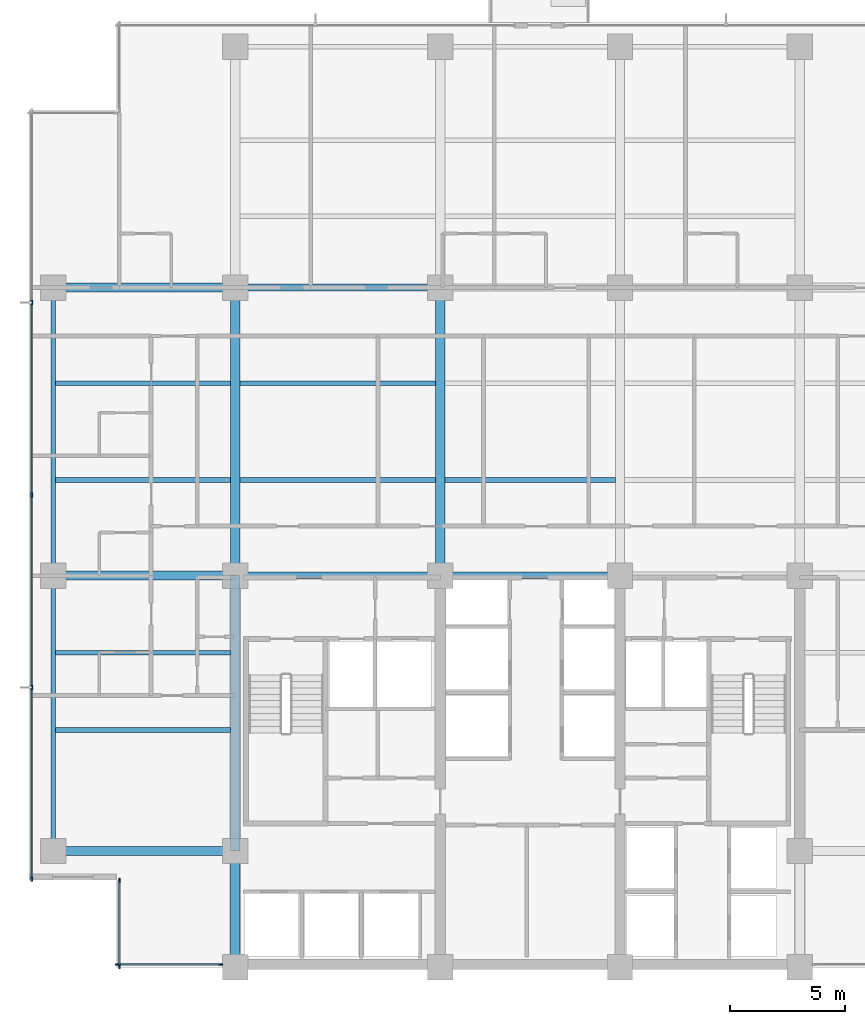
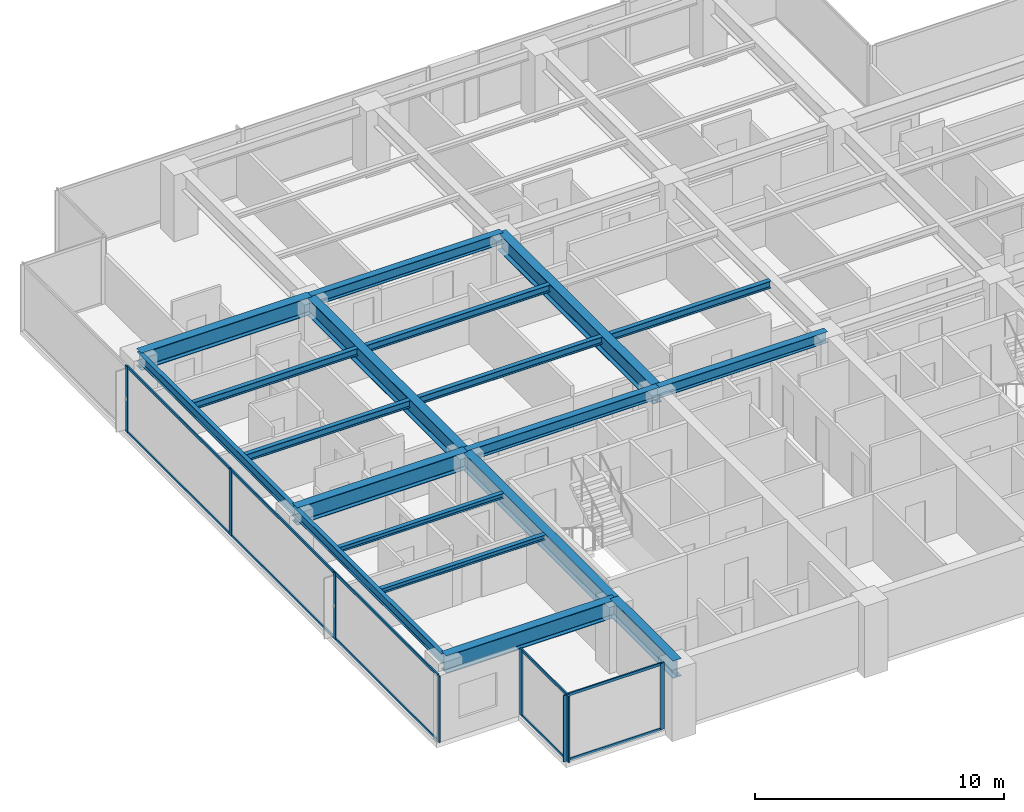
# One storey, part 2 of 16: 19 beams, 18 members, 3 elements without a shape of their own.
"""IFC4 building model written with IfcOpenShell, lengths in metres."""

from ifc_helpers import new_model, si_unit, direction, frame, origin, origin_2d, place, context, subcontext, project, spatial, rectangle, i_section, extrude, material, layer, layer_set, material_profile, profile_set, type_object, element, aggregate, save


model = new_model("IFC4")

# Units and contexts
model_context = context("Model", 3, precision=1e-05, world=origin(), true_north=direction((0.0, 1.0)))
body_context = subcontext(model_context, "Body", "Model", "MODEL_VIEW")
ifc_project = project(units=[si_unit("LENGTHUNIT", "METRE"), si_unit("AREAUNIT", "SQUARE_METRE"), si_unit("VOLUMEUNIT", "CUBIC_METRE"), si_unit("PLANEANGLEUNIT", "RADIAN"), si_unit("MASSUNIT", "GRAM", prefix="KILO")], contexts=[model_context])

# Site, building, storey
site_placement = place(None, origin())
site = spatial("IfcSite", under=ifc_project, at=site_placement, CompositionType="ELEMENT")
building_placement = place(site_placement, origin())
building = spatial("IfcBuilding", under=site, at=building_placement, Name="Qalmaran Belvedere Hotel", CompositionType="ELEMENT")
storey_placement = place(building_placement, frame((0.0, 0.0, 145.60009765625)))
storey = spatial("IfcBuildingStorey", under=building, at=storey_placement, Name="L36", CompositionType="ELEMENT", Elevation=145.60009765625)

# Beams
ifc_material_1 = material(Name="Steel S355JR", Category="steel")
ifc_material_profile_1 = material_profile(ifc_material_1, i_section(OverallWidth=0.201904296875, OverallDepth=0.2470703125, WebThickness=0.00732421875, FlangeThickness=0.010986328125, FilletRadius=0.011962890625, at=origin_2d()), Name="W250X49")
ifc_profile_set_1 = profile_set([ifc_material_profile_1], Name="Steel S355JR")
beam_type_1 = type_object("IfcBeamType", Name="BM-JST-W250X49", PredefinedType="JOIST", material=ifc_profile_set_1)
for number, where, z_axis, x_axis, name in (
    (1, (12.493896484375, 13.800048828125, 3.12646484375), (1.0, 0.0, 0.0), (0.0, 1.0, 0.0), "L36 West Wing Joist 038"),
    (2, (12.493896484375, 17.14990234375, 3.12646484375), (1.0, 0.0, 0.0), (0.0, 1.0, 0.0), "L36 West Wing Joist 040"),
):
    element("IfcBeam", number, at=place(storey_placement, frame(where, z_axis=z_axis, x_axis=x_axis)), inside=storey, type_object=beam_type_1, Name=name, PredefinedType="JOIST", context=body_context, shape_type="SweptSolid", body=[
        extrude(i_section(OverallWidth=0.201904296875, OverallDepth=0.2470703125, WebThickness=0.00732421875, FlangeThickness=0.010986328125, FilletRadius=0.011962890625, at=origin_2d()), origin(), (0.0, 0.0, 1.0), 7.608154296875),
    ])
ifc_material_profile_2 = material_profile(ifc_material_1, i_section(OverallWidth=0.39990234375, OverallDepth=0.85498046875, WebThickness=0.018310546875, FlangeThickness=0.029296875, FilletRadius=0.02392578125, at=origin_2d()), Name="W840X299")
ifc_profile_set_2 = profile_set([ifc_material_profile_2], Name="Steel S355JR")
beam_type_2 = type_object("IfcBeamType", Name="BM-PG3-W840X299", PredefinedType="USERDEFINED", material=ifc_profile_set_2)
for number, where, z_axis, x_axis, name in (
    (3, (20.300048828125, 20.5, 2.822509765625), (0.0, 1.0, 0.0), (-1.0, 0.0, 0.0), "L36 Mid-Plate N-S Girder 14"),
    (4, (29.199951171875, 20.5, 2.822509765625), (0.0, 1.0, 0.0), (-1.0, 0.0, 0.0), "L36 Mid-Plate N-S Girder 16"),
):
    element("IfcBeam", number, at=place(storey_placement, frame(where, z_axis=z_axis, x_axis=x_axis)), inside=storey, type_object=beam_type_2, Name=name, ObjectType="GIRDER", PredefinedType="USERDEFINED", context=body_context, shape_type="SweptSolid", body=[
        extrude(i_section(OverallWidth=0.39990234375, OverallDepth=0.85498046875, WebThickness=0.018310546875, FlangeThickness=0.029296875, FilletRadius=0.02392578125, at=origin_2d()), origin(), (0.0, 0.0, 1.0), 12.5),
    ])
for number, where, z_axis, x_axis, name in (
    (5, (12.39990234375, 8.550048828125, 2.822509765625), (1.0, 0.0, 0.0), (0.0, 1.0, 0.0), "L36 West Wing Girder 22"),
    (6, (12.39990234375, 20.5, 2.822509765625), (1.0, 0.0, 0.0), (0.0, 1.0, 0.0), "L36 West Wing Girder 23"),
    (7, (12.39990234375, 33.0, 2.822509765625), (1.0, 0.0, 0.0), (0.0, 1.0, 0.0), "L36 West Wing Girder 24"),
):
    element("IfcBeam", number, at=place(storey_placement, frame(where, z_axis=z_axis, x_axis=x_axis)), inside=storey, type_object=beam_type_2, Name=name, ObjectType="GIRDER", PredefinedType="USERDEFINED", context=body_context, shape_type="SweptSolid", body=[
        extrude(i_section(OverallWidth=0.39990234375, OverallDepth=0.85498046875, WebThickness=0.018310546875, FlangeThickness=0.029296875, FilletRadius=0.02392578125, at=origin_2d()), origin(), (0.0, 0.0, 1.0), 7.900146484375),
    ])
beam_1_placement = place(storey_placement, frame((20.300048828125, 3.5, 2.822509765625), z_axis=(0.0, 1.0, 0.0), x_axis=(-1.0, 0.0, 0.0)))
element("IfcBeam", 8, at=beam_1_placement, inside=storey, type_object=beam_type_2, Name="L36 West Core Edge Girder A", ObjectType="GIRDER", PredefinedType="USERDEFINED", context=body_context, shape_type="SweptSolid", body=[
    extrude(i_section(OverallWidth=0.39990234375, OverallDepth=0.85498046875, WebThickness=0.018310546875, FlangeThickness=0.029296875, FilletRadius=0.02392578125, at=origin_2d()), origin(), (0.0, 0.0, 1.0), 5.050048828125),
])
beam_2_placement = place(storey_placement, frame((20.300048828125, 8.550048828125, 2.822509765625), z_axis=(0.0, 1.0, 0.0), x_axis=(-1.0, 0.0, 0.0)))
element("IfcBeam", 9, at=beam_2_placement, inside=storey, type_object=beam_type_2, Name="L36 West Core Edge Girder B", ObjectType="GIRDER", PredefinedType="USERDEFINED", context=body_context, shape_type="SweptSolid", body=[
    extrude(i_section(OverallWidth=0.39990234375, OverallDepth=0.85498046875, WebThickness=0.018310546875, FlangeThickness=0.029296875, FilletRadius=0.02392578125, at=origin_2d()), origin(), (0.0, 0.0, 1.0), 11.949951171875),
])
ifc_material_profile_3 = material_profile(ifc_material_1, i_section(OverallWidth=0.205078125, OverallDepth=0.35400390625, WebThickness=0.009521484375, FlangeThickness=0.016845703125, FilletRadius=0.014892578125, at=origin_2d()), Name="W360X79")
ifc_profile_set_3 = profile_set([ifc_material_profile_3], Name="Steel S355JR")
beam_type_3 = type_object("IfcBeamType", Name="BM-SB3-W360X79", PredefinedType="BEAM", material=ifc_profile_set_3)
beam_3_placement = place(storey_placement, frame((12.493896484375, 24.64990234375, 3.072998046875), z_axis=(1.0, 0.0, 0.0), x_axis=(0.0, 1.0, 0.0)))
element("IfcBeam", 10, at=beam_3_placement, inside=storey, type_object=beam_type_3, Name="L36 West Secondary Beam 028", PredefinedType="BEAM", context=body_context, shape_type="SweptSolid", body=[
    extrude(i_section(OverallWidth=0.205078125, OverallDepth=0.35400390625, WebThickness=0.009521484375, FlangeThickness=0.016845703125, FilletRadius=0.014892578125, at=origin_2d()), origin(), (0.0, 0.0, 1.0), 7.608154296875),
])
beam_4_placement = place(storey_placement, frame((20.498046875, 24.64990234375, 3.072998046875), z_axis=(1.0, 0.0, 0.0), x_axis=(0.0, 1.0, 0.0)))
element("IfcBeam", 11, at=beam_4_placement, inside=storey, type_object=beam_type_3, Name="L36 Secondary Floor Beam 029", PredefinedType="BEAM", context=body_context, shape_type="SweptSolid", body=[
    extrude(i_section(OverallWidth=0.205078125, OverallDepth=0.35400390625, WebThickness=0.009521484375, FlangeThickness=0.016845703125, FilletRadius=0.014892578125, at=origin_2d()), origin(), (0.0, 0.0, 1.0), 8.50390625),
])
beam_5_placement = place(storey_placement, frame((29.39794921875, 24.64990234375, 3.072998046875), z_axis=(1.0, 0.0, 0.0), x_axis=(0.0, 1.0, 0.0)))
element("IfcBeam", 12, at=beam_5_placement, inside=storey, type_object=beam_type_3, Name="L36 Secondary Floor Beam 030", PredefinedType="BEAM", context=body_context, shape_type="SweptSolid", body=[
    extrude(i_section(OverallWidth=0.205078125, OverallDepth=0.35400390625, WebThickness=0.009521484375, FlangeThickness=0.016845703125, FilletRadius=0.014892578125, at=origin_2d()), origin(), (0.0, 0.0, 1.0), 7.404052734375),
])
beam_6_placement = place(storey_placement, frame((12.493896484375, 28.85009765625, 3.072998046875), z_axis=(1.0, 0.0, 0.0), x_axis=(0.0, 1.0, 0.0)))
element("IfcBeam", 13, at=beam_6_placement, inside=storey, type_object=beam_type_3, Name="L36 West Secondary Beam 033", PredefinedType="BEAM", context=body_context, shape_type="SweptSolid", body=[
    extrude(i_section(OverallWidth=0.205078125, OverallDepth=0.35400390625, WebThickness=0.009521484375, FlangeThickness=0.016845703125, FilletRadius=0.014892578125, at=origin_2d()), origin(), (0.0, 0.0, 1.0), 7.608154296875),
])
beam_7_placement = place(storey_placement, frame((20.498046875, 28.85009765625, 3.072998046875), z_axis=(1.0, 0.0, 0.0), x_axis=(0.0, 1.0, 0.0)))
element("IfcBeam", 14, at=beam_7_placement, inside=storey, type_object=beam_type_3, Name="L36 Secondary Floor Beam 034", PredefinedType="BEAM", context=body_context, shape_type="SweptSolid", body=[
    extrude(i_section(OverallWidth=0.205078125, OverallDepth=0.35400390625, WebThickness=0.009521484375, FlangeThickness=0.016845703125, FilletRadius=0.014892578125, at=origin_2d()), origin(), (0.0, 0.0, 1.0), 8.50390625),
])
ifc_material_profile_4 = material_profile(ifc_material_1, i_section(OverallWidth=0.19189453125, OverallDepth=0.462890625, WebThickness=0.010498046875, FlangeThickness=0.017578125, FilletRadius=0.01611328125, at=origin_2d()), Name="W460X89")
ifc_profile_set_4 = profile_set([ifc_material_profile_4], Name="Steel S355JR")
beam_type_4 = type_object("IfcBeamType", Name="BM-SP2-W460X89", PredefinedType="SPANDREL", material=ifc_profile_set_4)
beam_8_placement = place(storey_placement, frame((12.39990234375, 8.550048828125, 3.018310546875), z_axis=(0.0, 1.0, 0.0), x_axis=(-1.0, 0.0, 0.0)))
element("IfcBeam", 15, at=beam_8_placement, inside=storey, type_object=beam_type_4, Name="L36 Perimeter Spandrel 01", PredefinedType="SPANDREL", context=body_context, shape_type="SweptSolid", body=[
    extrude(i_section(OverallWidth=0.19189453125, OverallDepth=0.462890625, WebThickness=0.010498046875, FlangeThickness=0.017578125, FilletRadius=0.01611328125, at=origin_2d()), origin(), (0.0, 0.0, 1.0), 11.949951171875),
])
beam_9_placement = place(storey_placement, frame((12.39990234375, 20.5, 3.018310546875), z_axis=(0.0, 1.0, 0.0), x_axis=(-1.0, 0.0, 0.0)))
element("IfcBeam", 16, at=beam_9_placement, inside=storey, type_object=beam_type_4, Name="L36 Perimeter Spandrel 02", PredefinedType="SPANDREL", context=body_context, shape_type="SweptSolid", body=[
    extrude(i_section(OverallWidth=0.19189453125, OverallDepth=0.462890625, WebThickness=0.010498046875, FlangeThickness=0.017578125, FilletRadius=0.01611328125, at=origin_2d()), origin(), (0.0, 0.0, 1.0), 12.5),
])
ifc_material_profile_5 = material_profile(ifc_material_1, i_section(OverallWidth=0.31201171875, OverallDepth=0.54296875, WebThickness=0.0126953125, FlangeThickness=0.020263671875, FilletRadius=0.01806640625, at=origin_2d()), Name="W530X150")
ifc_profile_set_5 = profile_set([ifc_material_profile_5], Name="Steel S355JR")
beam_type_5 = type_object("IfcBeamType", Name="BM-Z3-W530X150", PredefinedType="USERDEFINED", material=ifc_profile_set_5)
beam_10_placement = place(storey_placement, frame((20.300048828125, 20.5, 2.978515625), z_axis=(1.0, 0.0, 0.0), x_axis=(0.0, 1.0, 0.0)))
element("IfcBeam", 17, at=beam_10_placement, inside=storey, type_object=beam_type_5, Name="L36 Interior E-W Girder 08", ObjectType="GIRDER", PredefinedType="USERDEFINED", context=body_context, shape_type="SweptSolid", body=[
    extrude(i_section(OverallWidth=0.31201171875, OverallDepth=0.54296875, WebThickness=0.0126953125, FlangeThickness=0.020263671875, FilletRadius=0.01806640625, at=origin_2d()), origin(), (0.0, 0.0, 1.0), 8.89990234375),
])
beam_11_placement = place(storey_placement, frame((29.199951171875, 20.5, 2.978515625), z_axis=(1.0, 0.0, 0.0), x_axis=(0.0, 1.0, 0.0)))
element("IfcBeam", 18, at=beam_11_placement, inside=storey, type_object=beam_type_5, Name="L36 Interior E-W Girder 09", ObjectType="GIRDER", PredefinedType="USERDEFINED", context=body_context, shape_type="SweptSolid", body=[
    extrude(i_section(OverallWidth=0.31201171875, OverallDepth=0.54296875, WebThickness=0.0126953125, FlangeThickness=0.020263671875, FilletRadius=0.01806640625, at=origin_2d()), origin(), (0.0, 0.0, 1.0), 7.800048828125),
])
beam_12_placement = place(storey_placement, frame((20.300048828125, 33.0, 2.978515625), z_axis=(1.0, 0.0, 0.0), x_axis=(0.0, 1.0, 0.0)))
element("IfcBeam", 19, at=beam_12_placement, inside=storey, type_object=beam_type_5, Name="L36 Interior E-W Girder 11", ObjectType="GIRDER", PredefinedType="USERDEFINED", context=body_context, shape_type="SweptSolid", body=[
    extrude(i_section(OverallWidth=0.31201171875, OverallDepth=0.54296875, WebThickness=0.0126953125, FlangeThickness=0.020263671875, FilletRadius=0.01806640625, at=origin_2d()), origin(), (0.0, 0.0, 1.0), 8.89990234375),
])

# Curtain wall, members
ifc_material_2 = material(Name="Anodised Bronze Aluminium", Category="aluminium")
ifc_layer = layer(ifc_material_2, 0.195068359375, Name="Anodised Bronze Aluminium")
ifc_layer_set = layer_set([ifc_layer], Name="Anodised Bronze Aluminium")
curtain_wall_type = type_object("IfcCurtainWallType", Name="CW4-TOWER-HIGHMID", PredefinedType="NOTDEFINED", material=ifc_layer_set)
curtain_wall_1_placement = place(storey_placement, origin())
curtain_wall_1 = element("IfcCurtainWall", 20, at=curtain_wall_1_placement, inside=storey, type_object=curtain_wall_type, Name="L36 Curtain Wall CW4", PredefinedType="NOTDEFINED")
ifc_material_profile_6 = material_profile(ifc_material_2, rectangle(XDim=0.070068359375, YDim=0.18994140625, at=origin_2d()), Name="CWM70X190")
ifc_profile_set_6 = profile_set([ifc_material_profile_6], Name="Anodised Bronze Aluminium")
member_type_1 = type_object("IfcMemberType", Name="CWM-70X190", PredefinedType="MULLION", material=ifc_profile_set_6)
member_1_placement = place(storey_placement, frame((15.18505859375, 3.6201171875, 0.0), z_axis=(0.0, 0.0, 1.0), x_axis=(0.0, 1.0, 0.0)))
member_1 = element("IfcMember", 21, at=member_1_placement, type_object=member_type_1, Name="CW4 mullion 1", PredefinedType="MULLION", context=body_context, shape_type="SweptSolid", body=[
    extrude(rectangle(XDim=0.070068359375, YDim=0.18994140625, at=origin_2d()), origin(), (0.0, 0.0, 1.0), 3.25),
])
member_2_placement = place(storey_placement, frame((19.675048828125, 3.6201171875, 0.0), z_axis=(0.0, 0.0, 1.0), x_axis=(0.0, 1.0, 0.0)))
member_2 = element("IfcMember", 22, at=member_2_placement, type_object=member_type_1, Name="CW4 mullion 2", PredefinedType="MULLION", context=body_context, shape_type="SweptSolid", body=[
    extrude(rectangle(XDim=0.070068359375, YDim=0.18994140625, at=origin_2d()), origin(), (0.0, 0.0, 1.0), 3.25),
])

curtain_wall_2_placement = place(storey_placement, origin())
curtain_wall_2 = element("IfcCurtainWall", 23, at=curtain_wall_2_placement, inside=storey, type_object=curtain_wall_type, Name="L36 Curtain Wall CW4", PredefinedType="NOTDEFINED")
member_3_placement = place(storey_placement, frame((11.469970703125, 32.35009765625, 0.0), z_axis=(0.0, 0.0, 1.0), x_axis=(1.0, 0.0, 0.0)))
member_3 = element("IfcMember", 24, at=member_3_placement, type_object=member_type_1, Name="CW4 mullion 2", PredefinedType="MULLION", context=body_context, shape_type="SweptSolid", body=[
    extrude(rectangle(XDim=0.070068359375, YDim=0.18994140625, at=origin_2d()), origin(), (0.0, 0.0, 1.0), 3.25),
])
member_4_placement = place(storey_placement, frame((11.469970703125, 24.0, 0.0), z_axis=(0.0, 0.0, 1.0), x_axis=(1.0, 0.0, 0.0)))
member_4 = element("IfcMember", 25, at=member_4_placement, type_object=member_type_1, Name="CW4 mullion 3", PredefinedType="MULLION", context=body_context, shape_type="SweptSolid", body=[
    extrude(rectangle(XDim=0.070068359375, YDim=0.18994140625, at=origin_2d()), origin(), (0.0, 0.0, 1.0), 3.25),
])
member_5_placement = place(storey_placement, frame((11.469970703125, 15.64990234375, 0.0), z_axis=(0.0, 0.0, 1.0), x_axis=(1.0, 0.0, 0.0)))
member_5 = element("IfcMember", 26, at=member_5_placement, type_object=member_type_1, Name="CW4 mullion 4", PredefinedType="MULLION", context=body_context, shape_type="SweptSolid", body=[
    extrude(rectangle(XDim=0.070068359375, YDim=0.18994140625, at=origin_2d()), origin(), (0.0, 0.0, 1.0), 3.25),
])
member_6_placement = place(storey_placement, frame((11.469970703125, 7.3349609375, 0.0), z_axis=(0.0, 0.0, 1.0), x_axis=(1.0, 0.0, 0.0)))
member_6 = element("IfcMember", 27, at=member_6_placement, type_object=member_type_1, Name="CW4 mullion 5", PredefinedType="MULLION", context=body_context, shape_type="SweptSolid", body=[
    extrude(rectangle(XDim=0.070068359375, YDim=0.18994140625, at=origin_2d()), origin(), (0.0, 0.0, 1.0), 3.25),
])

curtain_wall_3_placement = place(storey_placement, origin())
curtain_wall_3 = element("IfcCurtainWall", 28, at=curtain_wall_3_placement, inside=storey, type_object=curtain_wall_type, Name="L36 Curtain Wall CW4", PredefinedType="NOTDEFINED")
member_7_placement = place(storey_placement, frame((15.27001953125, 7.264892578125, 0.0), z_axis=(0.0, 0.0, 1.0), x_axis=(1.0, 0.0, 0.0)))
member_7 = element("IfcMember", 29, at=member_7_placement, type_object=member_type_1, Name="CW4 mullion 1", PredefinedType="MULLION", context=body_context, shape_type="SweptSolid", body=[
    extrude(rectangle(XDim=0.070068359375, YDim=0.18994140625, at=origin_2d()), origin(), (0.0, 0.0, 1.0), 3.25),
])
member_8_placement = place(storey_placement, frame((15.27001953125, 3.534912109375, 0.0), z_axis=(0.0, 0.0, 1.0), x_axis=(1.0, 0.0, 0.0)))
member_8 = element("IfcMember", 30, at=member_8_placement, type_object=member_type_1, Name="CW4 mullion 2", PredefinedType="MULLION", context=body_context, shape_type="SweptSolid", body=[
    extrude(rectangle(XDim=0.070068359375, YDim=0.18994140625, at=origin_2d()), origin(), (0.0, 0.0, 1.0), 3.25),
])

# Member
ifc_material_profile_7 = material_profile(ifc_material_2, rectangle(XDim=0.06494140625, YDim=0.1298828125, at=origin_2d()), Name="CWT65X130")
ifc_profile_set_7 = profile_set([ifc_material_profile_7], Name="Anodised Bronze Aluminium")
member_type_2 = type_object("IfcMemberType", Name="CWT-65X130", PredefinedType="USERDEFINED", material=ifc_profile_set_7)
member_9_placement = place(storey_placement, frame((15.219970703125, 3.6201171875, 0.032470703125), z_axis=(1.0, 0.0, 0.0), x_axis=(0.0, 1.0, 0.0)))
member_9 = element("IfcMember", 31, at=member_9_placement, type_object=member_type_2, Name="CW4 transom 1.1", ObjectType="TRANSOM", PredefinedType="USERDEFINED", context=body_context, shape_type="SweptSolid", body=[
    extrude(rectangle(XDim=0.06494140625, YDim=0.1298828125, at=origin_2d()), origin(), (0.0, 0.0, 1.0), 4.419921875),
])

member_10_placement = place(storey_placement, frame((15.219970703125, 3.6201171875, 3.21728515625), z_axis=(1.0, 0.0, 0.0), x_axis=(0.0, 1.0, 0.0)))
member_10 = element("IfcMember", 32, at=member_10_placement, type_object=member_type_2, Name="CW4 transom 1.2", ObjectType="TRANSOM", PredefinedType="USERDEFINED", context=body_context, shape_type="SweptSolid", body=[
    extrude(rectangle(XDim=0.06494140625, YDim=0.1298828125, at=origin_2d()), origin(), (0.0, 0.0, 1.0), 4.419921875),
])

aggregate(curtain_wall_1, [member_1, member_2, member_9, member_10])

member_11_placement = place(storey_placement, frame((11.469970703125, 32.31494140625, 0.032470703125), z_axis=(0.0, -1.0, 0.0), x_axis=(1.0, 0.0, 0.0)))
member_11 = element("IfcMember", 33, at=member_11_placement, type_object=member_type_2, Name="CW4 transom 2.1", ObjectType="TRANSOM", PredefinedType="USERDEFINED", context=body_context, shape_type="SweptSolid", body=[
    extrude(rectangle(XDim=0.06494140625, YDim=0.1298828125, at=origin_2d()), origin(), (0.0, 0.0, 1.0), 8.280029296875),
])

member_12_placement = place(storey_placement, frame((11.469970703125, 32.31494140625, 3.21728515625), z_axis=(0.0, -1.0, 0.0), x_axis=(1.0, 0.0, 0.0)))
member_12 = element("IfcMember", 34, at=member_12_placement, type_object=member_type_2, Name="CW4 transom 2.2", ObjectType="TRANSOM", PredefinedType="USERDEFINED", context=body_context, shape_type="SweptSolid", body=[
    extrude(rectangle(XDim=0.06494140625, YDim=0.1298828125, at=origin_2d()), origin(), (0.0, 0.0, 1.0), 8.280029296875),
])

member_13_placement = place(storey_placement, frame((11.469970703125, 23.965087890625, 0.032470703125), z_axis=(0.0, -1.0, 0.0), x_axis=(1.0, 0.0, 0.0)))
member_13 = element("IfcMember", 35, at=member_13_placement, type_object=member_type_2, Name="CW4 transom 3.1", ObjectType="TRANSOM", PredefinedType="USERDEFINED", context=body_context, shape_type="SweptSolid", body=[
    extrude(rectangle(XDim=0.06494140625, YDim=0.1298828125, at=origin_2d()), origin(), (0.0, 0.0, 1.0), 8.280029296875),
])

member_14_placement = place(storey_placement, frame((11.469970703125, 23.965087890625, 3.21728515625), z_axis=(0.0, -1.0, 0.0), x_axis=(1.0, 0.0, 0.0)))
member_14 = element("IfcMember", 36, at=member_14_placement, type_object=member_type_2, Name="CW4 transom 3.2", ObjectType="TRANSOM", PredefinedType="USERDEFINED", context=body_context, shape_type="SweptSolid", body=[
    extrude(rectangle(XDim=0.06494140625, YDim=0.1298828125, at=origin_2d()), origin(), (0.0, 0.0, 1.0), 8.280029296875),
])

member_15_placement = place(storey_placement, frame((11.469970703125, 15.614990234375, 0.032470703125), z_axis=(0.0, -1.0, 0.0), x_axis=(1.0, 0.0, 0.0)))
member_15 = element("IfcMember", 37, at=member_15_placement, type_object=member_type_2, Name="CW4 transom 4.1", ObjectType="TRANSOM", PredefinedType="USERDEFINED", context=body_context, shape_type="SweptSolid", body=[
    extrude(rectangle(XDim=0.06494140625, YDim=0.1298828125, at=origin_2d()), origin(), (0.0, 0.0, 1.0), 8.244873046875),
])

member_16_placement = place(storey_placement, frame((11.469970703125, 15.614990234375, 3.21728515625), z_axis=(0.0, -1.0, 0.0), x_axis=(1.0, 0.0, 0.0)))
member_16 = element("IfcMember", 38, at=member_16_placement, type_object=member_type_2, Name="CW4 transom 4.2", ObjectType="TRANSOM", PredefinedType="USERDEFINED", context=body_context, shape_type="SweptSolid", body=[
    extrude(rectangle(XDim=0.06494140625, YDim=0.1298828125, at=origin_2d()), origin(), (0.0, 0.0, 1.0), 8.244873046875),
])

aggregate(curtain_wall_2, [member_3, member_4, member_5, member_6, member_11, member_12, member_13, member_14, member_15, member_16])

member_17_placement = place(storey_placement, frame((15.27001953125, 7.22998046875, 0.032470703125), z_axis=(0.0, -1.0, 0.0), x_axis=(1.0, 0.0, 0.0)))
member_17 = element("IfcMember", 39, at=member_17_placement, type_object=member_type_2, Name="CW4 transom 1.1", ObjectType="TRANSOM", PredefinedType="USERDEFINED", context=body_context, shape_type="SweptSolid", body=[
    extrude(rectangle(XDim=0.06494140625, YDim=0.1298828125, at=origin_2d()), origin(), (0.0, 0.0, 1.0), 3.659912109375),
])

member_18_placement = place(storey_placement, frame((15.27001953125, 7.22998046875, 3.21728515625), z_axis=(0.0, -1.0, 0.0), x_axis=(1.0, 0.0, 0.0)))
member_18 = element("IfcMember", 40, at=member_18_placement, type_object=member_type_2, Name="CW4 transom 1.2", ObjectType="TRANSOM", PredefinedType="USERDEFINED", context=body_context, shape_type="SweptSolid", body=[
    extrude(rectangle(XDim=0.06494140625, YDim=0.1298828125, at=origin_2d()), origin(), (0.0, 0.0, 1.0), 3.659912109375),
])

aggregate(curtain_wall_3, [member_7, member_8, member_17, member_18])

save(model, "model.ifc")
